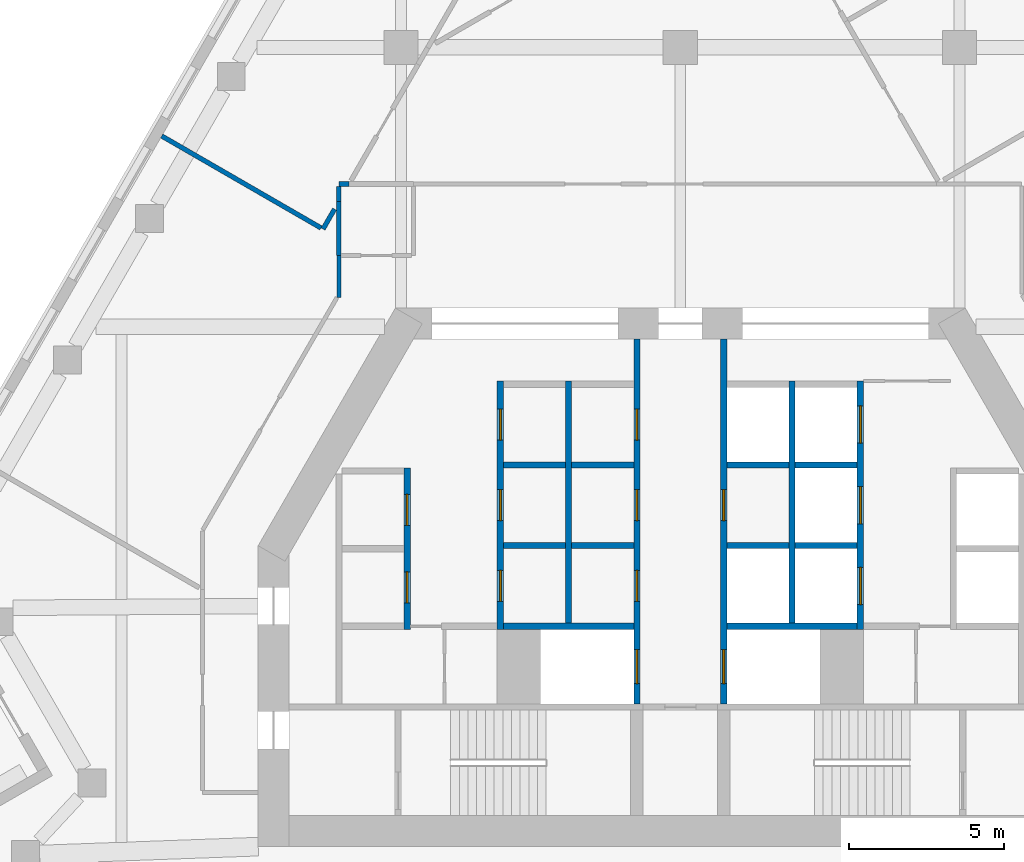
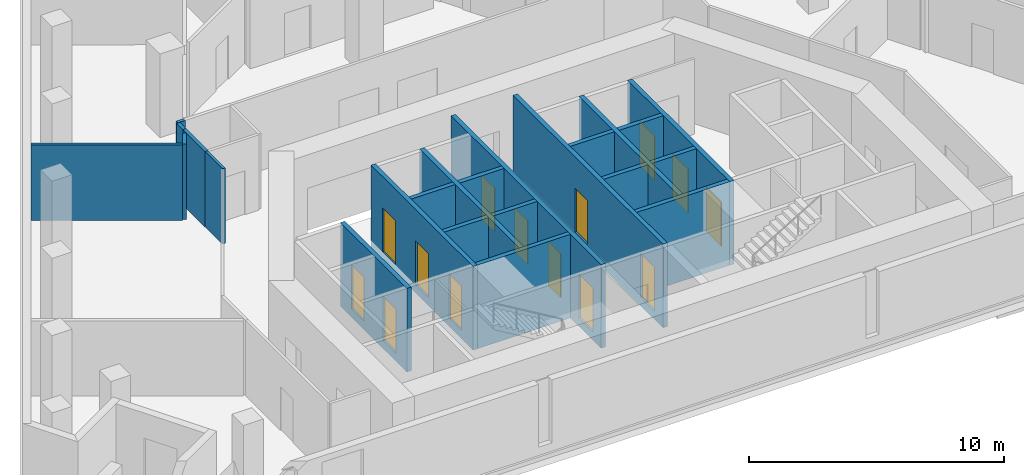
# One storey, part 3 of 8: 23 walls, 14 doors, 14 openings.
"""IFC4 building model written with IfcOpenShell, lengths in metres."""

import ifcopenshell
import ifcopenshell.guid

model = None  # the IFC model being written
_history = None  # IfcOwnerHistory: only IFC2X3 demands one
_inside = {}  # id of a spatial element -> (the spatial element, [elements in it])
_under = {}  # id of a project, library or spatial element -> (it, [spatial elements below it])
_declared = {}  # id of a project -> (the project, [libraries it declares])
_typed = {}  # id of a type object -> (the type object, [elements of that type])
_made_of = {}  # id of a material, layer set ... -> (it, [elements and type objects made of it])


def new_model(schema):
    """Start an empty IFC model of exactly this schema.

    Asked for "IFC4X3", IfcOpenShell would pick the latest addendum, in which some entities
    have other attributes; the version numbers below select the first issue.
    IFC2X3 requires an IfcOwnerHistory on every rooted entity: one is made here for all.
    """
    global model, _history
    if schema == "IFC4X3":
        model = ifcopenshell.file(schema_version=(4, 3, 0, 0))
    else:
        model = ifcopenshell.file(schema=schema)
    _inside.clear()
    _under.clear()
    _declared.clear()
    _typed.clear()
    _made_of.clear()
    _history = None
    if model.schema == "IFC2X3":
        org = make("IfcOrganization", Name="unknown")
        user = make(
            "IfcPersonAndOrganization",
            ThePerson=make("IfcPerson", FamilyName="unknown"),
            TheOrganization=org,
        )
        app = make(
            "IfcApplication",
            ApplicationDeveloper=org,
            Version="unknown",
            ApplicationFullName="unknown",
            ApplicationIdentifier="unknown",
        )
        _history = make(
            "IfcOwnerHistory",
            OwningUser=user,
            OwningApplication=app,
            ChangeAction="ADDED",
            CreationDate=0,
        )
    return model


def make(cls, **values):
    """One entity of the class cls with the attributes given. An attribute that is None is left unset."""
    return model.create_entity(
        cls, **{name: value for name, value in values.items() if value is not None}
    )


def rooted(cls, **values):
    """An entity with a GlobalId (a new one), such as an element, a storey or a relation."""
    return make(cls, GlobalId=ifcopenshell.guid.new(), OwnerHistory=_history, **values)


def si_unit(unit_type, name, prefix=None):
    """IfcSIUnit, for example si_unit("LENGTHUNIT", "METRE", prefix="MILLI")."""
    return make("IfcSIUnit", UnitType=unit_type, Prefix=prefix, Name=name)


def assignment(units):
    """IfcUnitAssignment: the units of a project."""
    return None if units is None else make("IfcUnitAssignment", Units=units)


def point(xyz):
    """IfcCartesianPoint."""
    return None if xyz is None else make("IfcCartesianPoint", Coordinates=xyz)


def direction(xyz):
    """IfcDirection."""
    return None if xyz is None else make("IfcDirection", DirectionRatios=xyz)


def frame(location, z_axis=None, x_axis=None):
    """IfcAxis2Placement3D, a coordinate frame: its origin and axes. An axis left out is left unset."""
    return make(
        "IfcAxis2Placement3D",
        Location=point(location),
        Axis=direction(z_axis),
        RefDirection=direction(x_axis),
    )


def frame_2d(location, x_axis=None):
    """IfcAxis2Placement2D, a coordinate frame in the plane: its origin and x axis."""
    return make(
        "IfcAxis2Placement2D", Location=point(location), RefDirection=direction(x_axis)
    )


def origin():
    """The frame at (0, 0, 0) with its axes left unset."""
    return frame((0.0, 0.0, 0.0))


def place(relative_to, where):
    """IfcLocalPlacement: puts the frame where relative to a parent placement (None: the world)."""
    return make(
        "IfcLocalPlacement", PlacementRelTo=relative_to, RelativePlacement=where
    )


def context(
    kind, dimensions, precision=None, world=None, true_north=None, identifier=None
):
    """IfcGeometricRepresentationContext, for example the 3D "Model" context."""
    return make(
        "IfcGeometricRepresentationContext",
        ContextIdentifier=identifier,
        ContextType=kind,
        CoordinateSpaceDimension=dimensions,
        Precision=precision,
        WorldCoordinateSystem=world,
        TrueNorth=true_north,
    )


def subcontext(parent, identifier, kind, view, scale=None):
    """IfcGeometricRepresentationSubContext, for example "Body" below "Model"."""
    return make(
        "IfcGeometricRepresentationSubContext",
        ContextIdentifier=identifier,
        ContextType=kind,
        ParentContext=parent,
        TargetScale=scale,
        TargetView=view,
    )


def project(units=None, contexts=None):
    """IfcProject with its units and contexts."""
    return rooted(
        "IfcProject",
        Name="project",
        RepresentationContexts=contexts,
        UnitsInContext=assignment(units),
    )


def spatial(cls, under=None, at=None, **own):
    """A site, building, storey or space (cls), placed at a placement, below another one or the project."""
    s = rooted(cls, ObjectPlacement=at, **own)
    if under is not None:
        _under.setdefault(under.id(), (under, []))[1].append(s)
    return s


def profile(cls, at=None, kind="AREA", **sizes):
    """A parametric profile (cls). Its sizes go by their IFC names, for example OverallWidth=200.0."""
    return make(cls, ProfileType=kind, Position=at, **sizes)


def rectangle(**sizes):
    """IfcRectangleProfileDef."""
    return profile("IfcRectangleProfileDef", **sizes)


def extrude(swept, where, along, depth):
    """IfcExtrudedAreaSolid: the profile swept, set in the frame where, extruded along a direction by depth."""
    return make(
        "IfcExtrudedAreaSolid",
        SweptArea=swept,
        Position=where,
        ExtrudedDirection=direction(along),
        Depth=depth,
    )


def shape(context_of_items, identifier, shape_type, items):
    """IfcShapeRepresentation: the items that make up one representation, for example the "Body"."""
    return make(
        "IfcShapeRepresentation",
        ContextOfItems=context_of_items,
        RepresentationIdentifier=identifier,
        RepresentationType=shape_type,
        Items=items,
    )


def material(Name=None, Category=None):
    """IfcMaterial."""
    return make("IfcMaterial", Name=Name, Category=Category)


def layer(
    of_material, thickness, ventilated=None, Name=None, Category=None, Priority=None
):
    """IfcMaterialLayer: one layer of a wall or slab, of a material (None: an air gap)."""
    return make(
        "IfcMaterialLayer",
        Material=of_material,
        LayerThickness=thickness,
        IsVentilated=ventilated,
        Name=Name,
        Category=Category,
        Priority=Priority,
    )


def layer_set(layers, Name=None):
    """IfcMaterialLayerSet."""
    return make("IfcMaterialLayerSet", MaterialLayers=layers, LayerSetName=Name)


def made_of(thing, what):
    """Note that an element or type object is made of a material, layer set ...; save() writes the relation."""
    if what is not None:
        _made_of.setdefault(what.id(), (what, []))[1].append(thing)
    return thing


def type_object(cls, material=None, **own):
    """A type object (cls), such as IfcWallType, which elements share."""
    return made_of(rooted(cls, **own), material)


def element(
    cls,
    number,
    at=None,
    inside=None,
    cuts=None,
    type_object=None,
    material=None,
    context=None,
    identifier="Body",
    shape_type=None,
    held_by="IfcProductDefinitionShape",
    body=None,
    shapes=None,
    **own,
):
    """One element of the class cls, such as IfcWall. Its Tag is "e" and its number.

    at: its placement. inside: the storey or other place that contains it. cuts: it is an
    opening in that element (IfcRelVoidsElement). A single representation is given by context,
    identifier, shape_type and body (its items); several are given by shapes. held_by: the class
    of the entity that holds the representations. save() writes the other relations.
    """
    e = rooted(cls, Tag="e%d" % number, ObjectPlacement=at, **own)
    if body is not None:
        shapes = [shape(context, identifier, shape_type, body)]
    if shapes is not None:
        e.Representation = make(held_by, Representations=shapes)
    if inside is not None:
        _inside.setdefault(inside.id(), (inside, []))[1].append(e)
    if cuts is not None:
        rooted(
            "IfcRelVoidsElement", RelatingBuildingElement=cuts, RelatedOpeningElement=e
        )
    if type_object is not None:
        _typed.setdefault(type_object.id(), (type_object, []))[1].append(e)
    return made_of(e, material)


def fill(opening, filler):
    """IfcRelFillsElement: the door or window that sits in an opening."""
    return rooted(
        "IfcRelFillsElement",
        RelatingOpeningElement=opening,
        RelatedBuildingElement=filler,
    )


def aggregate(whole, parts):
    """IfcRelAggregates: a whole, such as a stair, and the parts it consists of."""
    return rooted("IfcRelAggregates", RelatingObject=whole, RelatedObjects=parts)


def save(model, path):
    """Write the relations noted so far, then the file.

    IfcRelAggregates (storeys below a building ...), IfcRelContainedInSpatialStructure (elements
    in a storey), IfcRelDefinesByType, IfcRelAssociatesMaterial and IfcRelDeclares: one each for
    every whole, place, type object, material and project.
    """
    for whole, parts in _under.values():
        aggregate(whole, parts)
    for where, things in _inside.values():
        rooted(
            "IfcRelContainedInSpatialStructure",
            RelatedElements=things,
            RelatingStructure=where,
        )
    for kind, things in _typed.values():
        rooted("IfcRelDefinesByType", RelatedObjects=things, RelatingType=kind)
    for what, things in _made_of.values():
        rooted("IfcRelAssociatesMaterial", RelatedObjects=things, RelatingMaterial=what)
    for by, libraries in _declared.values():
        rooted("IfcRelDeclares", RelatingContext=by, RelatedDefinitions=libraries)
    model.write(path)


model = new_model("IFC4")

# Units and contexts
model_context = context("Model", 3, precision=1e-05, world=origin(), true_north=direction((0.0, 1.0)))
body_context = subcontext(model_context, "Body", "Model", "MODEL_VIEW")
ifc_project = project(units=[si_unit("LENGTHUNIT", "METRE"), si_unit("AREAUNIT", "SQUARE_METRE"), si_unit("VOLUMEUNIT", "CUBIC_METRE"), si_unit("PLANEANGLEUNIT", "RADIAN"), si_unit("MASSUNIT", "GRAM", prefix="KILO")], contexts=[model_context])

# Site, building, storey
site_placement = place(None, origin())
site = spatial("IfcSite", under=ifc_project, at=site_placement, CompositionType="ELEMENT")
building_placement = place(site_placement, origin())
building = spatial("IfcBuilding", under=site, at=building_placement, Name="Fogline Exchange Tower", CompositionType="ELEMENT")
storey_placement = place(building_placement, frame((0.0, 0.0, 239.5)))
storey = spatial("IfcBuildingStorey", under=building, at=storey_placement, Name="L54", CompositionType="ELEMENT", Elevation=239.5)

# Walls
ifc_material_1 = material(Name="Concrete C40", Category="concrete")
ifc_layer_1 = layer(ifc_material_1, 0.199951171875)
ifc_layer_set_1 = layer_set([ifc_layer_1], Name="CW20")
wall_type_1 = type_object("IfcWallType", Name="CW20", PredefinedType="SOLIDWALL", material=ifc_layer_set_1)
for number, where, z_axis, x_axis, name in (
    (1, (-5.699951171875, 10.949951171875, 0.0), (0.0, 0.0, 1.0), (1.0, 0.0, 0.0), "Service room wall"),
    (2, (-5.699951171875, 13.550048828125, 0.0), (0.0, 0.0, 1.0), (1.0, 0.0, 0.0), "Service room wall"),
    (3, (-3.5, 10.949951171875, 0.0), (0.0, 0.0, 1.0), (1.0, 0.0, 0.0), "Service room wall"),
    (4, (-3.5, 13.550048828125, 0.0), (0.0, 0.0, 1.0), (1.0, 0.0, 0.0), "Service room wall"),
):
    element("IfcWall", number, at=place(storey_placement, frame(where, z_axis=z_axis, x_axis=x_axis)), inside=storey, type_object=wall_type_1, Name=name, PredefinedType="SOLIDWALL", context=body_context, shape_type="SweptSolid", body=[
        extrude(rectangle(XDim=2.0, YDim=0.199951171875, at=frame_2d((1.0, 0.0))), origin(), (0.0, 0.0, 1.0), 3.60009765625),
    ])

# Wall, openings, doors
ifc_layer_2 = layer(ifc_material_1, 0.199951171875)
ifc_layer_set_2 = layer_set([ifc_layer_2], Name="CW20S")
wall_type_2 = type_object("IfcWallType", Name="CW20S", PredefinedType="SOLIDWALL", material=ifc_layer_set_2)
wall_1_placement = place(storey_placement, frame((-8.800048828125, 8.25, -0.39990234375), z_axis=(0.0, 0.0, 1.0), x_axis=(0.0, 1.0, 0.0)))
wall_1 = element("IfcWall", 5, at=wall_1_placement, inside=storey, type_object=wall_type_2, Name="Lift shaft wall", PredefinedType="SOLIDWALL", context=body_context, shape_type="SweptSolid", body=[
    extrude(rectangle(XDim=5.199951171875, YDim=0.199951171875, at=frame_2d((2.60009765625, 0.0))), origin(), (0.0, 0.0, 1.0), 4.0),
])
opening_1_placement = place(wall_1_placement, frame((0.85009765625, 0.0, 0.39990234375)))
opening_1 = element("IfcOpeningElement", 6, at=opening_1_placement, cuts=wall_1, Name="Opening T17-C001", PredefinedType="OPENING", context=body_context, shape_type="SweptSolid", body=[
    extrude(rectangle(XDim=1.0, YDim=2.10009765625, at=frame_2d((0.5, 1.050048828125))), frame((0.0, 0.10986328125, 0.0), z_axis=(0.0, -1.0, 0.0), x_axis=(1.0, 0.0, 0.0)), (0.0, 0.0, 1.0), 0.219970703125),
])
opening_2_placement = place(wall_1_placement, frame((3.35009765625, 0.0, 0.39990234375)))
opening_2 = element("IfcOpeningElement", 7, at=opening_2_placement, cuts=wall_1, Name="Opening T17-C002", PredefinedType="OPENING", context=body_context, shape_type="SweptSolid", body=[
    extrude(rectangle(XDim=1.0, YDim=2.10009765625, at=frame_2d((0.5, 1.050048828125))), frame((0.0, 0.10986328125, 0.0), z_axis=(0.0, -1.0, 0.0), x_axis=(1.0, 0.0, 0.0)), (0.0, 0.0, 1.0), 0.219970703125),
])
ifc_material_2 = material(Name="Steel and timber fire door", Category="steel")
door_type_1 = type_object("IfcDoorType", Name="D-RM1", OperationType="SINGLE_SWING_LEFT", PredefinedType="DOOR", material=ifc_material_2)
door_1_placement = place(opening_1_placement, origin())
door_1 = element("IfcDoor", 8, at=door_1_placement, inside=storey, type_object=door_type_1, Name="Door to Archive Store", OperationType="SINGLE_SWING_RIGHT", OverallHeight=2.10009765625, OverallWidth=1.0, PredefinedType="DOOR", context=body_context, shape_type="SweptSolid", body=[
    extrude(rectangle(XDim=1.0, YDim=2.10009765625, at=frame_2d((0.5, 1.050048828125))), frame((0.0, 0.02490234375, 0.0), z_axis=(0.0, -1.0, 0.0), x_axis=(1.0, 0.0, 0.0)), (0.0, 0.0, 1.0), 0.050048828125),
])
fill(opening_1, door_1)
door_2_placement = place(opening_2_placement, origin())
door_2 = element("IfcDoor", 9, at=door_2_placement, inside=storey, type_object=door_type_1, Name="Door to Library Store", OperationType="SINGLE_SWING_RIGHT", OverallHeight=2.10009765625, OverallWidth=1.0, PredefinedType="DOOR", context=body_context, shape_type="SweptSolid", body=[
    extrude(rectangle(XDim=1.0, YDim=2.10009765625, at=frame_2d((0.5, 1.050048828125))), frame((0.0, 0.02490234375, 0.0), z_axis=(0.0, -1.0, 0.0), x_axis=(1.0, 0.0, 0.0)), (0.0, 0.0, 1.0), 0.050048828125),
])
fill(opening_2, door_2)

wall_2_placement = place(storey_placement, frame((-5.800048828125, 8.25, -0.39990234375), z_axis=(0.0, 0.0, 1.0), x_axis=(0.0, 1.0, 0.0)))
wall_2 = element("IfcWall", 10, at=wall_2_placement, inside=storey, type_object=wall_type_2, Name="Lift shaft wall", PredefinedType="SOLIDWALL", context=body_context, shape_type="SweptSolid", body=[
    extrude(rectangle(XDim=8.0, YDim=0.199951171875, at=frame_2d((4.0, 0.0))), origin(), (0.0, 0.0, 1.0), 4.0),
])
opening_3_placement = place(wall_2_placement, frame((0.89990234375, 0.0, 0.39990234375)))
opening_3 = element("IfcOpeningElement", 11, at=opening_3_placement, cuts=wall_2, Name="Opening T17-C003", PredefinedType="OPENING", context=body_context, shape_type="SweptSolid", body=[
    extrude(rectangle(XDim=1.0, YDim=2.10009765625, at=frame_2d((0.5, 1.050048828125))), frame((0.0, 0.10986328125, 0.0), z_axis=(0.0, -1.0, 0.0), x_axis=(1.0, 0.0, 0.0)), (0.0, 0.0, 1.0), 0.219970703125),
])
opening_4_placement = place(wall_2_placement, frame((3.5, 0.0, 0.39990234375)))
opening_4 = element("IfcOpeningElement", 12, at=opening_4_placement, cuts=wall_2, Name="Opening T17-C004", PredefinedType="OPENING", context=body_context, shape_type="SweptSolid", body=[
    extrude(rectangle(XDim=1.0, YDim=2.10009765625, at=frame_2d((0.5, 1.050048828125))), frame((0.0, 0.10986328125, 0.0), z_axis=(0.0, -1.0, 0.0), x_axis=(1.0, 0.0, 0.0)), (0.0, 0.0, 1.0), 0.219970703125),
])
opening_5_placement = place(wall_2_placement, frame((6.10009765625, 0.0, 0.39990234375)))
opening_5 = element("IfcOpeningElement", 13, at=opening_5_placement, cuts=wall_2, Name="Opening T17-C005", PredefinedType="OPENING", context=body_context, shape_type="SweptSolid", body=[
    extrude(rectangle(XDim=1.0, YDim=2.10009765625, at=frame_2d((0.5, 1.050048828125))), frame((0.0, 0.10986328125, 0.0), z_axis=(0.0, -1.0, 0.0), x_axis=(1.0, 0.0, 0.0)), (0.0, 0.0, 1.0), 0.219970703125),
])
door_3_placement = place(opening_3_placement, frame((1.0, 0.0, 0.0), z_axis=(0.0, 0.0, 1.0), x_axis=(-1.0, 0.0, 0.0)))
door_3 = element("IfcDoor", 14, at=door_3_placement, inside=storey, type_object=door_type_1, Name="Door to Stationery Store", OperationType="SINGLE_SWING_LEFT", OverallHeight=2.10009765625, OverallWidth=1.0, PredefinedType="DOOR", context=body_context, shape_type="SweptSolid", body=[
    extrude(rectangle(XDim=1.0, YDim=2.10009765625, at=frame_2d((0.5, 1.050048828125))), frame((0.0, 0.02490234375, 0.0), z_axis=(0.0, -1.0, 0.0), x_axis=(1.0, 0.0, 0.0)), (0.0, 0.0, 1.0), 0.050048828125),
])
fill(opening_3, door_3)
door_4_placement = place(opening_4_placement, frame((1.0, 0.0, 0.0), z_axis=(0.0, 0.0, 1.0), x_axis=(-1.0, 0.0, 0.0)))
door_4 = element("IfcDoor", 15, at=door_4_placement, inside=storey, type_object=door_type_1, Name="Door to Records Store", OperationType="SINGLE_SWING_RIGHT", OverallHeight=2.10009765625, OverallWidth=1.0, PredefinedType="DOOR", context=body_context, shape_type="SweptSolid", body=[
    extrude(rectangle(XDim=1.0, YDim=2.10009765625, at=frame_2d((0.5, 1.050048828125))), frame((0.0, 0.02490234375, 0.0), z_axis=(0.0, -1.0, 0.0), x_axis=(1.0, 0.0, 0.0)), (0.0, 0.0, 1.0), 0.050048828125),
])
fill(opening_4, door_4)
door_5_placement = place(opening_5_placement, frame((1.0, 0.0, 0.0), z_axis=(0.0, 0.0, 1.0), x_axis=(-1.0, 0.0, 0.0)))
door_5 = element("IfcDoor", 16, at=door_5_placement, inside=storey, type_object=door_type_1, Name="Door to Riser Room", OperationType="SINGLE_SWING_RIGHT", OverallHeight=2.10009765625, OverallWidth=1.0, PredefinedType="DOOR", context=body_context, shape_type="SweptSolid", body=[
    extrude(rectangle(XDim=1.0, YDim=2.10009765625, at=frame_2d((0.5, 1.050048828125))), frame((0.0, 0.02490234375, 0.0), z_axis=(0.0, -1.0, 0.0), x_axis=(1.0, 0.0, 0.0)), (0.0, 0.0, 1.0), 0.050048828125),
])
fill(opening_5, door_5)

wall_3_placement = place(storey_placement, frame((5.800048828125, 8.25, -0.39990234375), z_axis=(0.0, 0.0, 1.0), x_axis=(0.0, 1.0, 0.0)))
wall_3 = element("IfcWall", 17, at=wall_3_placement, inside=storey, type_object=wall_type_2, Name="Lift shaft wall", PredefinedType="SOLIDWALL", context=body_context, shape_type="SweptSolid", body=[
    extrude(rectangle(XDim=8.0, YDim=0.199951171875, at=frame_2d((4.0, 0.0))), origin(), (0.0, 0.0, 1.0), 4.0),
])
opening_6_placement = place(wall_3_placement, frame((0.800048828125, 0.0, 0.39990234375)))
opening_6 = element("IfcOpeningElement", 18, at=opening_6_placement, cuts=wall_3, Name="Opening T17-LD02", PredefinedType="OPENING", context=body_context, shape_type="SweptSolid", body=[
    extrude(rectangle(XDim=1.199951171875, YDim=2.10009765625, at=frame_2d((0.60009765625, 1.050048828125))), frame((0.0, 0.10986328125, 0.0), z_axis=(0.0, -1.0, 0.0), x_axis=(1.0, 0.0, 0.0)), (0.0, 0.0, 1.0), 0.219970703125),
])
opening_7_placement = place(wall_3_placement, frame((3.39990234375, 0.0, 0.39990234375)))
opening_7 = element("IfcOpeningElement", 19, at=opening_7_placement, cuts=wall_3, Name="Opening T17-LD03", PredefinedType="OPENING", context=body_context, shape_type="SweptSolid", body=[
    extrude(rectangle(XDim=1.199951171875, YDim=2.10009765625, at=frame_2d((0.60009765625, 1.050048828125))), frame((0.0, 0.10986328125, 0.0), z_axis=(0.0, -1.0, 0.0), x_axis=(1.0, 0.0, 0.0)), (0.0, 0.0, 1.0), 0.219970703125),
])
opening_8_placement = place(wall_3_placement, frame((6.0, 0.0, 0.39990234375)))
opening_8 = element("IfcOpeningElement", 20, at=opening_8_placement, cuts=wall_3, Name="Opening T17-LD04", PredefinedType="OPENING", context=body_context, shape_type="SweptSolid", body=[
    extrude(rectangle(XDim=1.199951171875, YDim=2.10009765625, at=frame_2d((0.60009765625, 1.050048828125))), frame((0.0, 0.10986328125, 0.0), z_axis=(0.0, -1.0, 0.0), x_axis=(1.0, 0.0, 0.0)), (0.0, 0.0, 1.0), 0.219970703125),
])
door_type_2 = type_object("IfcDoorType", Name="LD1", OperationType="SLIDING_TO_LEFT", PredefinedType="DOOR", material=ifc_material_2)
door_6_placement = place(opening_6_placement, origin())
door_6 = element("IfcDoor", 21, at=door_6_placement, inside=storey, type_object=door_type_2, Name="Landing door MR1", OperationType="SLIDING_TO_LEFT", OverallHeight=2.10009765625, OverallWidth=1.199951171875, PredefinedType="DOOR", context=body_context, shape_type="SweptSolid", body=[
    extrude(rectangle(XDim=1.199951171875, YDim=2.10009765625, at=frame_2d((0.60009765625, 1.050048828125))), frame((0.0, 0.02490234375, 0.0), z_axis=(0.0, -1.0, 0.0), x_axis=(1.0, 0.0, 0.0)), (0.0, 0.0, 1.0), 0.050048828125),
])
fill(opening_6, door_6)
door_7_placement = place(opening_7_placement, origin())
door_7 = element("IfcDoor", 22, at=door_7_placement, inside=storey, type_object=door_type_2, Name="Landing door MR2", OperationType="SLIDING_TO_LEFT", OverallHeight=2.10009765625, OverallWidth=1.199951171875, PredefinedType="DOOR", context=body_context, shape_type="SweptSolid", body=[
    extrude(rectangle(XDim=1.199951171875, YDim=2.10009765625, at=frame_2d((0.60009765625, 1.050048828125))), frame((0.0, 0.02490234375, 0.0), z_axis=(0.0, -1.0, 0.0), x_axis=(1.0, 0.0, 0.0)), (0.0, 0.0, 1.0), 0.050048828125),
])
fill(opening_7, door_7)
door_8_placement = place(opening_8_placement, origin())
door_8 = element("IfcDoor", 23, at=door_8_placement, inside=storey, type_object=door_type_2, Name="Landing door MR3", OperationType="SLIDING_TO_LEFT", OverallHeight=2.10009765625, OverallWidth=1.199951171875, PredefinedType="DOOR", context=body_context, shape_type="SweptSolid", body=[
    extrude(rectangle(XDim=1.199951171875, YDim=2.10009765625, at=frame_2d((0.60009765625, 1.050048828125))), frame((0.0, 0.02490234375, 0.0), z_axis=(0.0, -1.0, 0.0), x_axis=(1.0, 0.0, 0.0)), (0.0, 0.0, 1.0), 0.050048828125),
])
fill(opening_8, door_8)

# Walls
for number, where, z_axis, x_axis, name in (
    (24, (-3.60009765625, 8.449951171875, -0.39990234375), (0.0, 0.0, 1.0), (0.0, 1.0, 0.0), "Lift shaft wall"),
    (25, (3.60009765625, 8.449951171875, -0.39990234375), (0.0, 0.0, 1.0), (0.0, 1.0, 0.0), "Lift shaft wall"),
):
    element("IfcWall", number, at=place(storey_placement, frame(where, z_axis=z_axis, x_axis=x_axis)), inside=storey, type_object=wall_type_2, Name=name, PredefinedType="SOLIDWALL", context=body_context, shape_type="SweptSolid", body=[
        extrude(rectangle(XDim=7.800048828125, YDim=0.199951171875, at=frame_2d((3.89990234375, 0.0))), origin(), (0.0, 0.0, 1.0), 4.0),
    ])

# Wall, openings, doors
wall_4_placement = place(storey_placement, frame((-1.39990234375, 5.85009765625, -0.39990234375), z_axis=(0.0, 0.0, 1.0), x_axis=(0.0, 1.0, 0.0)))
wall_4 = element("IfcWall", 26, at=wall_4_placement, inside=storey, type_object=wall_type_2, Name="Lift lobby wall", PredefinedType="SOLIDWALL", context=body_context, shape_type="SweptSolid", body=[
    extrude(rectangle(XDim=11.75, YDim=0.199951171875, at=frame_2d((5.875, 0.0))), origin(), (0.0, 0.0, 1.0), 4.0),
])
opening_9_placement = place(wall_4_placement, frame((0.64990234375, 0.0, 0.39990234375)))
opening_9 = element("IfcOpeningElement", 27, at=opening_9_placement, cuts=wall_4, Name="Opening T17-LD01", PredefinedType="OPENING", context=body_context, shape_type="SweptSolid", body=[
    extrude(rectangle(XDim=1.10009765625, YDim=2.10009765625, at=frame_2d((0.550048828125, 1.050048828125))), frame((0.0, 0.10986328125, 0.0), z_axis=(0.0, -1.0, 0.0), x_axis=(1.0, 0.0, 0.0)), (0.0, 0.0, 1.0), 0.219970703125),
])
opening_10_placement = place(wall_4_placement, frame((3.300048828125, 0.0, 0.39990234375)))
opening_10 = element("IfcOpeningElement", 28, at=opening_10_placement, cuts=wall_4, Name="Opening T17-C006", PredefinedType="OPENING", context=body_context, shape_type="SweptSolid", body=[
    extrude(rectangle(XDim=1.0, YDim=2.10009765625, at=frame_2d((0.5, 1.050048828125))), frame((0.0, 0.10986328125, 0.0), z_axis=(0.0, -1.0, 0.0), x_axis=(1.0, 0.0, 0.0)), (0.0, 0.0, 1.0), 0.219970703125),
])
opening_11_placement = place(wall_4_placement, frame((5.89990234375, 0.0, 0.39990234375)))
opening_11 = element("IfcOpeningElement", 29, at=opening_11_placement, cuts=wall_4, Name="Opening T17-C007", PredefinedType="OPENING", context=body_context, shape_type="SweptSolid", body=[
    extrude(rectangle(XDim=1.0, YDim=2.10009765625, at=frame_2d((0.5, 1.050048828125))), frame((0.0, 0.10986328125, 0.0), z_axis=(0.0, -1.0, 0.0), x_axis=(1.0, 0.0, 0.0)), (0.0, 0.0, 1.0), 0.219970703125),
])
opening_12_placement = place(wall_4_placement, frame((8.5, 0.0, 0.39990234375)))
opening_12 = element("IfcOpeningElement", 30, at=opening_12_placement, cuts=wall_4, Name="Opening T17-C008", PredefinedType="OPENING", context=body_context, shape_type="SweptSolid", body=[
    extrude(rectangle(XDim=1.0, YDim=2.10009765625, at=frame_2d((0.5, 1.050048828125))), frame((0.0, 0.10986328125, 0.0), z_axis=(0.0, -1.0, 0.0), x_axis=(1.0, 0.0, 0.0)), (0.0, 0.0, 1.0), 0.219970703125),
])
door_9_placement = place(opening_10_placement, origin())
door_9 = element("IfcDoor", 31, at=door_9_placement, inside=storey, type_object=door_type_1, Name="Door to Plant Room", OperationType="SINGLE_SWING_LEFT", OverallHeight=2.10009765625, OverallWidth=1.0, PredefinedType="DOOR", context=body_context, shape_type="SweptSolid", body=[
    extrude(rectangle(XDim=1.0, YDim=2.10009765625, at=frame_2d((0.5, 1.050048828125))), frame((0.0, 0.02490234375, 0.0), z_axis=(0.0, -1.0, 0.0), x_axis=(1.0, 0.0, 0.0)), (0.0, 0.0, 1.0), 0.050048828125),
])
fill(opening_10, door_9)
door_10_placement = place(opening_11_placement, origin())
door_10 = element("IfcDoor", 32, at=door_10_placement, inside=storey, type_object=door_type_1, Name="Door to Cable Store", OperationType="SINGLE_SWING_LEFT", OverallHeight=2.10009765625, OverallWidth=1.0, PredefinedType="DOOR", context=body_context, shape_type="SweptSolid", body=[
    extrude(rectangle(XDim=1.0, YDim=2.10009765625, at=frame_2d((0.5, 1.050048828125))), frame((0.0, 0.02490234375, 0.0), z_axis=(0.0, -1.0, 0.0), x_axis=(1.0, 0.0, 0.0)), (0.0, 0.0, 1.0), 0.050048828125),
])
fill(opening_11, door_10)
door_11_placement = place(opening_12_placement, origin())
door_11 = element("IfcDoor", 33, at=door_11_placement, inside=storey, type_object=door_type_1, Name="Door to Server Room", OperationType="SINGLE_SWING_LEFT", OverallHeight=2.10009765625, OverallWidth=1.0, PredefinedType="DOOR", context=body_context, shape_type="SweptSolid", body=[
    extrude(rectangle(XDim=1.0, YDim=2.10009765625, at=frame_2d((0.5, 1.050048828125))), frame((0.0, 0.02490234375, 0.0), z_axis=(0.0, -1.0, 0.0), x_axis=(1.0, 0.0, 0.0)), (0.0, 0.0, 1.0), 0.050048828125),
])
fill(opening_12, door_11)
door_type_3 = type_object("IfcDoorType", Name="LD2", OperationType="SLIDING_TO_RIGHT", PredefinedType="DOOR", material=ifc_material_2)
door_12_placement = place(opening_9_placement, origin())
door_12 = element("IfcDoor", 34, at=door_12_placement, inside=storey, type_object=door_type_3, Name="Landing door FF1", OperationType="SLIDING_TO_RIGHT", OverallHeight=2.10009765625, OverallWidth=1.10009765625, PredefinedType="DOOR", context=body_context, shape_type="SweptSolid", body=[
    extrude(rectangle(XDim=1.10009765625, YDim=2.10009765625, at=frame_2d((0.550048828125, 1.050048828125))), frame((0.0, 0.02490234375, 0.0), z_axis=(0.0, -1.0, 0.0), x_axis=(1.0, 0.0, 0.0)), (0.0, 0.0, 1.0), 0.050048828125),
])
fill(opening_9, door_12)

wall_5_placement = place(storey_placement, frame((1.39990234375, 5.85009765625, -0.39990234375), z_axis=(0.0, 0.0, 1.0), x_axis=(0.0, 1.0, 0.0)))
wall_5 = element("IfcWall", 35, at=wall_5_placement, inside=storey, type_object=wall_type_2, Name="Lift lobby wall", PredefinedType="SOLIDWALL", context=body_context, shape_type="SweptSolid", body=[
    extrude(rectangle(XDim=11.75, YDim=0.199951171875, at=frame_2d((5.875, 0.0))), origin(), (0.0, 0.0, 1.0), 4.0),
])
opening_13_placement = place(wall_5_placement, frame((0.64990234375, 0.0, 0.39990234375)))
opening_13 = element("IfcOpeningElement", 36, at=opening_13_placement, cuts=wall_5, Name="Opening T17-LD05", PredefinedType="OPENING", context=body_context, shape_type="SweptSolid", body=[
    extrude(rectangle(XDim=1.10009765625, YDim=2.10009765625, at=frame_2d((0.550048828125, 1.050048828125))), frame((0.0, 0.10986328125, 0.0), z_axis=(0.0, -1.0, 0.0), x_axis=(1.0, 0.0, 0.0)), (0.0, 0.0, 1.0), 0.219970703125),
])
opening_14_placement = place(wall_5_placement, frame((5.89990234375, 0.0, 0.39990234375)))
opening_14 = element("IfcOpeningElement", 37, at=opening_14_placement, cuts=wall_5, Name="Opening T17-C009", PredefinedType="OPENING", context=body_context, shape_type="SweptSolid", body=[
    extrude(rectangle(XDim=1.0, YDim=2.10009765625, at=frame_2d((0.5, 1.050048828125))), frame((0.0, 0.10986328125, 0.0), z_axis=(0.0, -1.0, 0.0), x_axis=(1.0, 0.0, 0.0)), (0.0, 0.0, 1.0), 0.219970703125),
])
door_13_placement = place(opening_14_placement, frame((1.0, 0.0, 0.0), z_axis=(0.0, 0.0, 1.0), x_axis=(-1.0, 0.0, 0.0)))
door_13 = element("IfcDoor", 38, at=door_13_placement, inside=storey, type_object=door_type_1, Name="Door to Records Store", OperationType="SINGLE_SWING_RIGHT", OverallHeight=2.10009765625, OverallWidth=1.0, PredefinedType="DOOR", context=body_context, shape_type="SweptSolid", body=[
    extrude(rectangle(XDim=1.0, YDim=2.10009765625, at=frame_2d((0.5, 1.050048828125))), frame((0.0, 0.02490234375, 0.0), z_axis=(0.0, -1.0, 0.0), x_axis=(1.0, 0.0, 0.0)), (0.0, 0.0, 1.0), 0.050048828125),
])
fill(opening_14, door_13)
door_14_placement = place(opening_13_placement, origin())
door_14 = element("IfcDoor", 39, at=door_14_placement, inside=storey, type_object=door_type_3, Name="Landing door FF2", OperationType="SLIDING_TO_RIGHT", OverallHeight=2.10009765625, OverallWidth=1.10009765625, PredefinedType="DOOR", context=body_context, shape_type="SweptSolid", body=[
    extrude(rectangle(XDim=1.10009765625, YDim=2.10009765625, at=frame_2d((0.550048828125, 1.050048828125))), frame((0.0, 0.02490234375, 0.0), z_axis=(0.0, -1.0, 0.0), x_axis=(1.0, 0.0, 0.0)), (0.0, 0.0, 1.0), 0.050048828125),
])
fill(opening_13, door_14)

# Walls
for number, where, z_axis, x_axis, name in (
    (40, (-5.699951171875, 8.35009765625, -0.39990234375), (0.0, 0.0, 1.0), (1.0, 0.0, 0.0), "Lift shaft wall"),
    (41, (1.5, 8.35009765625, -0.39990234375), (0.0, 0.0, 1.0), (1.0, 0.0, 0.0), "Lift shaft wall"),
):
    element("IfcWall", number, at=place(storey_placement, frame(where, z_axis=z_axis, x_axis=x_axis)), inside=storey, type_object=wall_type_2, Name=name, PredefinedType="SOLIDWALL", context=body_context, shape_type="SweptSolid", body=[
        extrude(rectangle(XDim=4.199951171875, YDim=0.199951171875, at=frame_2d((2.10009765625, 0.0))), origin(), (0.0, 0.0, 1.0), 4.0),
    ])
for number, where, z_axis, x_axis, name in (
    (42, (3.699951171875, 10.949951171875, -0.39990234375), (0.0, 0.0, 1.0), (1.0, 0.0, 0.0), "Lift shaft wall"),
    (43, (3.699951171875, 13.550048828125, -0.39990234375), (0.0, 0.0, 1.0), (1.0, 0.0, 0.0), "Lift shaft wall"),
    (44, (1.5, 10.949951171875, -0.39990234375), (0.0, 0.0, 1.0), (1.0, 0.0, 0.0), "Lift shaft wall"),
    (45, (1.5, 13.550048828125, -0.39990234375), (0.0, 0.0, 1.0), (1.0, 0.0, 0.0), "Lift shaft wall"),
):
    element("IfcWall", number, at=place(storey_placement, frame(where, z_axis=z_axis, x_axis=x_axis)), inside=storey, type_object=wall_type_2, Name=name, PredefinedType="SOLIDWALL", context=body_context, shape_type="SweptSolid", body=[
        extrude(rectangle(XDim=2.0, YDim=0.199951171875, at=frame_2d((1.0, 0.0))), origin(), (0.0, 0.0, 1.0), 4.0),
    ])
ifc_material_3 = material(Name="Plasterboard corridor partition with mineral wool, 2 layers each side")
ifc_layer_3 = layer(ifc_material_3, 0.125)
ifc_layer_set_3 = layer_set([ifc_layer_3], Name="PW2")
wall_type_3 = type_object("IfcWallType", Name="PW2", PredefinedType="PARTITIONING", material=ifc_layer_set_3)
wall_6_placement = place(storey_placement, frame((-11.0, 18.940185546875, 0.0), z_axis=(0.0, 0.0, 1.0), x_axis=(0.0, 1.0, 0.0)))
element("IfcWall", 46, at=wall_6_placement, inside=storey, type_object=wall_type_3, Name="wall-L54-W010", PredefinedType="PARTITIONING", context=body_context, shape_type="SweptSolid", body=[
    extrude(rectangle(XDim=1.35986328125, YDim=0.125, at=frame_2d((0.679931640625, 0.0))), origin(), (0.0, 0.0, 1.0), 3.60009765625),
])
ifc_material_4 = material(Name="Plasterboard demising partition with mineral wool and acoustic board")
ifc_layer_4 = layer(ifc_material_4, 0.14990234375)
ifc_layer_set_4 = layer_set([ifc_layer_4], Name="PW3")
wall_type_4 = type_object("IfcWallType", Name="PW3", PredefinedType="PARTITIONING", material=ifc_layer_set_4)
wall_7_placement = place(storey_placement, frame((-10.6728515625, 22.60009765625, 0.0), z_axis=(0.0, 0.0, 1.0), x_axis=(-1.0, 0.0, 0.0)))
element("IfcWall", 47, at=wall_7_placement, inside=storey, type_object=wall_type_4, Name="wall-L54-W029", PredefinedType="PARTITIONING", context=body_context, shape_type="SweptSolid", body=[
    extrude(rectangle(XDim=0.3271484375, YDim=0.14990234375, at=frame_2d((0.16357421875, 0.0))), origin(), (0.0, 0.0, 1.0), 3.60009765625),
])
wall_8_placement = place(storey_placement, frame((-11.0, 22.52490234375, 0.0), z_axis=(0.0, 0.0, 1.0), x_axis=(0.0, -1.0, 0.0)))
element("IfcWall", 48, at=wall_8_placement, inside=storey, type_object=wall_type_4, Name="wall-L54-W030", PredefinedType="PARTITIONING", context=body_context, shape_type="SweptSolid", body=[
    extrude(rectangle(XDim=0.49169921875, YDim=0.14990234375, at=frame_2d((0.245849609375, 0.0))), origin(), (0.0, 0.0, 1.0), 3.60009765625),
])
wall_9_placement = place(storey_placement, frame((-11.14013671875, 21.79052734375, 0.0), z_axis=(0.0, 0.0, 1.0), x_axis=(-0.499987686533, -0.866032512851, 0.0)))
element("IfcWall", 49, at=wall_9_placement, inside=storey, type_object=wall_type_4, Name="wall-L54-W031", PredefinedType="PARTITIONING", context=body_context, shape_type="SweptSolid", body=[
    extrude(rectangle(XDim=0.74365234375, YDim=0.14990234375, at=frame_2d((0.371826171875, 0.0))), origin(), (0.0, 0.0, 1.0), 3.60009765625),
])
wall_10_placement = place(storey_placement, frame((-11.576904296875, 21.18408203125, 0.0), z_axis=(0.0, 0.0, 1.0), x_axis=(-0.866028447878, 0.499994727438, 0.0)))
element("IfcWall", 50, at=wall_10_placement, inside=storey, type_object=wall_type_4, Name="wall-L54-W032", PredefinedType="PARTITIONING", context=body_context, shape_type="SweptSolid", body=[
    extrude(rectangle(XDim=5.9248046875, YDim=0.14990234375, at=frame_2d((2.96240234375, 0.0))), origin(), (0.0, 0.0, 1.0), 3.60009765625),
])
wall_11_placement = place(storey_placement, frame((-11.0, 20.300048828125, 0.0), z_axis=(0.0, 0.0, 1.0), x_axis=(0.0, 1.0, 0.0)))
element("IfcWall", 51, at=wall_11_placement, inside=storey, type_object=wall_type_4, Name="wall-L54-W033", PredefinedType="PARTITIONING", context=body_context, shape_type="SweptSolid", body=[
    extrude(rectangle(XDim=1.733154296875, YDim=0.14990234375, at=frame_2d((0.86669921875, 0.0))), origin(), (0.0, 0.0, 1.0), 3.60009765625),
])

save(model, "model.ifc")
